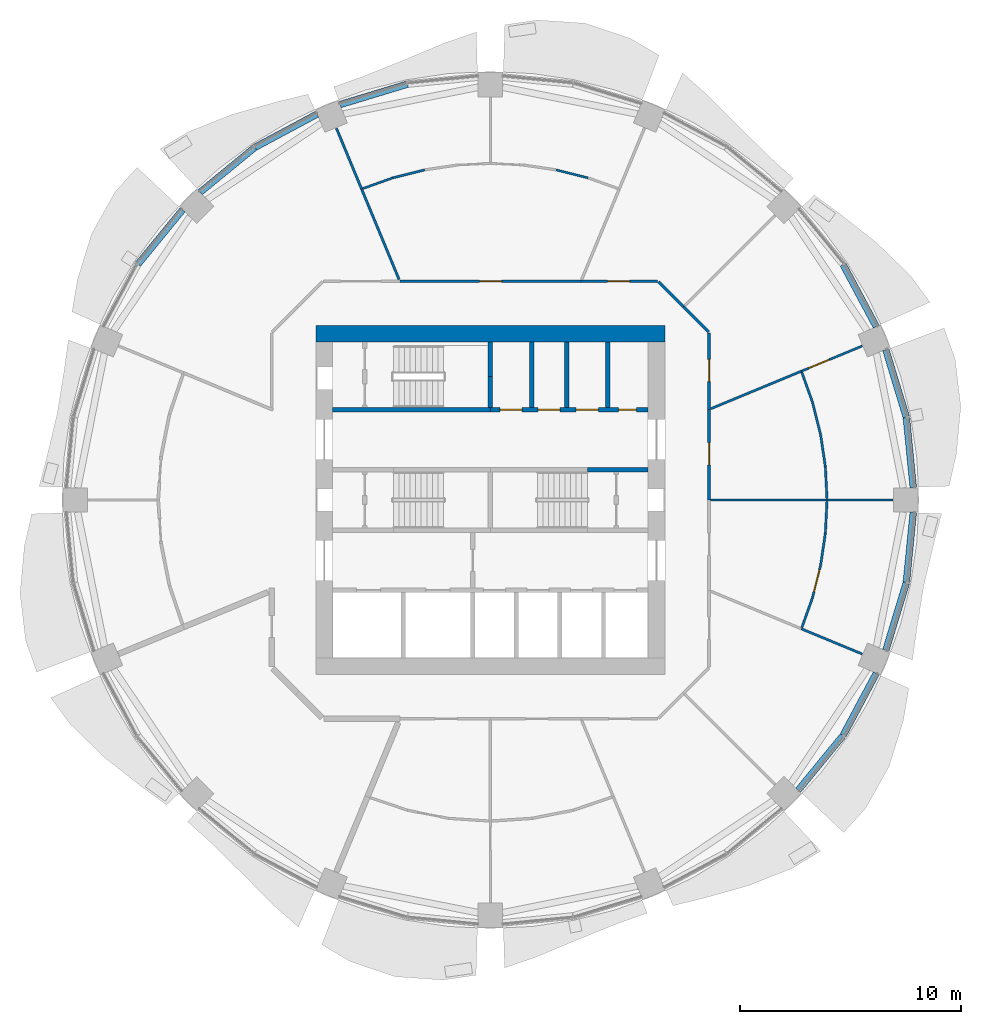
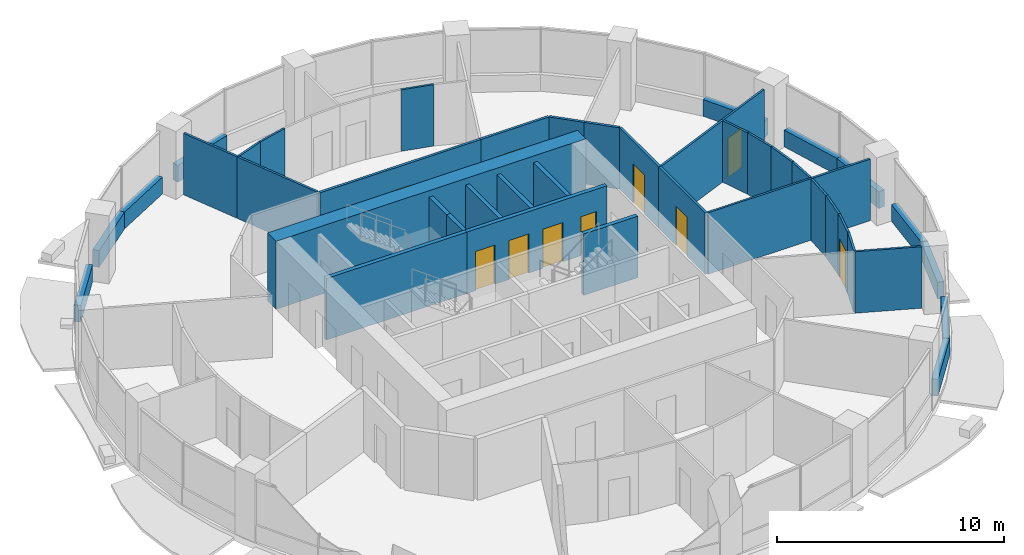
# One storey, part 10 of 15: 44 walls, 10 doors, 10 openings.
"""IFC4 building model written with IfcOpenShell, lengths in metres."""

from ifc_helpers import new_model, si_unit, direction, frame, frame_2d, origin, place, context, subcontext, project, spatial, rectangle, extrude, material, layer, layer_set, type_object, element, fill, save


model = new_model("IFC4")

# Units and contexts
model_context = context("Model", 3, precision=1e-05, world=origin(), true_north=direction((0.0, 1.0)))
body_context = subcontext(model_context, "Body", "Model", "MODEL_VIEW")
ifc_project = project(units=[si_unit("LENGTHUNIT", "METRE"), si_unit("AREAUNIT", "SQUARE_METRE"), si_unit("VOLUMEUNIT", "CUBIC_METRE"), si_unit("PLANEANGLEUNIT", "RADIAN"), si_unit("MASSUNIT", "GRAM", prefix="KILO")], contexts=[model_context])

# Site, building, storey
site_placement = place(None, origin())
site = spatial("IfcSite", under=ifc_project, at=site_placement, CompositionType="ELEMENT")
building_placement = place(site_placement, origin())
building = spatial("IfcBuilding", under=site, at=building_placement, Name="Polderwave Tower", CompositionType="ELEMENT")
storey_placement = place(building_placement, frame((0.0, 0.0, 83.699951171875)))
storey = spatial("IfcBuildingStorey", under=building, at=storey_placement, Name="L21", CompositionType="ELEMENT", Elevation=83.699951171875)

# Walls
ifc_material_1 = material(Name="Concrete C70/85", Category="concrete")
ifc_layer_1 = layer(ifc_material_1, 0.75)
ifc_layer_set_1 = layer_set([ifc_layer_1], Name="CORE WALL 750 C70/85")
wall_type_1 = type_object("IfcWallType", Name="CORE WALL 750 C70/85", PredefinedType="SHEAR", material=ifc_layer_set_1)
wall_1_placement = place(storey_placement, frame((-7.8740234375, 7.4990234375, 0.0), z_axis=(0.0, 0.0, 1.0), x_axis=(1.0, 0.0, 0.0)))
element("IfcWall", 1, at=wall_1_placement, inside=storey, type_object=wall_type_1, Name="ST-CORE-L21-N", PredefinedType="SHEAR", context=body_context, shape_type="SweptSolid", body=[
    extrude(rectangle(XDim=15.748046875, YDim=0.75, at=frame_2d((7.8740234375, 0.0))), origin(), (0.0, 0.0, 1.0), 3.650146484375),
])
ifc_material_2 = material(Name="Concrete C50/60 (board-marked)", Category="concrete")
ifc_layer_2 = layer(ifc_material_2, 0.300048828125)
ifc_layer_set_2 = layer_set([ifc_layer_2], Name="Concrete spandrel upstand C50/60")
wall_type_2 = type_object("IfcWallType", Name="Concrete spandrel upstand C50/60", PredefinedType="SOLIDWALL", material=ifc_layer_set_2)
wall_2_placement = place(storey_placement, frame((19.094482421875, 0.56396484375, 0.0), z_axis=(0.0, 0.0, 1.0), x_axis=(-0.098040704044, 0.995182405567, 0.0)))
element("IfcWall", 2, at=wall_2_placement, inside=storey, type_object=wall_type_2, Name="Spandrel L21 1a", PredefinedType="SOLIDWALL", context=body_context, shape_type="SweptSolid", body=[
    extrude(rectangle(XDim=3.172607421875, YDim=0.300048828125, at=frame_2d((1.58642578125, 0.0))), origin(), (0.0, 0.0, 1.0), 0.900146484375),
])
wall_3_placement = place(storey_placement, frame((18.777587890625, 3.75048828125, 0.0), z_axis=(0.0, 0.0, 1.0), x_axis=(-0.290325591482, 0.956927923582, 0.0)))
element("IfcWall", 3, at=wall_3_placement, inside=storey, type_object=wall_type_2, Name="Spandrel L21 1b", PredefinedType="SOLIDWALL", context=body_context, shape_type="SweptSolid", body=[
    extrude(rectangle(XDim=3.1728515625, YDim=0.300048828125, at=frame_2d((1.58642578125, 0.0))), origin(), (0.0, 0.0, 1.0), 0.900146484375),
])
wall_4_placement = place(storey_placement, frame((17.4248046875, 7.828125, 0.0), z_axis=(0.0, 0.0, 1.0), x_axis=(-0.471458802606, 0.88188808669, 0.0)))
element("IfcWall", 4, at=wall_4_placement, inside=storey, type_object=wall_type_2, Name="Spandrel L21 2a", PredefinedType="SOLIDWALL", context=body_context, shape_type="SweptSolid", body=[
    extrude(rectangle(XDim=3.17236328125, YDim=0.300048828125, at=frame_2d((1.586181640625, 0.0))), origin(), (0.0, 0.0, 1.0), 0.900146484375),
])
wall_5_placement = place(storey_placement, frame((-3.75048828125, 18.777587890625, 0.0), z_axis=(0.0, 0.0, 1.0), x_axis=(-0.956927923582, -0.290325591482, 0.0)))
element("IfcWall", 5, at=wall_5_placement, inside=storey, type_object=wall_type_2, Name="Spandrel L21 5b", PredefinedType="SOLIDWALL", context=body_context, shape_type="SweptSolid", body=[
    extrude(rectangle(XDim=3.1728515625, YDim=0.300048828125, at=frame_2d((1.58642578125, 0.0))), origin(), (0.0, 0.0, 1.0), 0.900146484375),
])
wall_6_placement = place(storey_placement, frame((-7.828125, 17.4248046875, 0.0), z_axis=(0.0, 0.0, 1.0), x_axis=(-0.88188808669, -0.471458802606, 0.0)))
element("IfcWall", 6, at=wall_6_placement, inside=storey, type_object=wall_type_2, Name="Spandrel L21 6a", PredefinedType="SOLIDWALL", context=body_context, shape_type="SweptSolid", body=[
    extrude(rectangle(XDim=3.17236328125, YDim=0.300048828125, at=frame_2d((1.586181640625, 0.0))), origin(), (0.0, 0.0, 1.0), 0.900146484375),
])
for number, where, z_axis, x_axis, name in (
    (7, (-10.650634765625, 15.91259765625, 0.0), (0.0, 0.0, 1.0), (-0.773137226182, -0.634238779555, 0.0), "Spandrel L21 6b"),
    (8, (-13.900390625, 13.103515625, 0.0), (0.0, 0.0, 1.0), (-0.634238779555, -0.773137226182, 0.0), "Spandrel L21 7a"),
    (9, (13.900390625, -13.103515625, 0.0), (0.0, 0.0, 1.0), (0.634238779555, 0.773137226182, 0.0), "Spandrel L21 15a"),
):
    element("IfcWall", number, at=place(storey_placement, frame(where, z_axis=z_axis, x_axis=x_axis)), inside=storey, type_object=wall_type_2, Name=name, PredefinedType="SOLIDWALL", context=body_context, shape_type="SweptSolid", body=[
        extrude(rectangle(XDim=3.172607421875, YDim=0.300048828125, at=frame_2d((1.58642578125, 0.0))), origin(), (0.0, 0.0, 1.0), 0.900146484375),
    ])
wall_7_placement = place(storey_placement, frame((15.92919921875, -10.625732421875, 0.0), z_axis=(0.0, 0.0, 1.0), x_axis=(0.471458802606, 0.88188808669, 0.0)))
element("IfcWall", 10, at=wall_7_placement, inside=storey, type_object=wall_type_2, Name="Spandrel L21 15b", PredefinedType="SOLIDWALL", context=body_context, shape_type="SweptSolid", body=[
    extrude(rectangle(XDim=3.17236328125, YDim=0.300048828125, at=frame_2d((1.586181640625, 0.0))), origin(), (0.0, 0.0, 1.0), 0.900146484375),
])
wall_8_placement = place(storey_placement, frame((17.8564453125, -6.78662109375, 0.0), z_axis=(0.0, 0.0, 1.0), x_axis=(0.290325591482, 0.956927923582, 0.0)))
element("IfcWall", 11, at=wall_8_placement, inside=storey, type_object=wall_type_2, Name="Spandrel L21 16a", PredefinedType="SOLIDWALL", context=body_context, shape_type="SweptSolid", body=[
    extrude(rectangle(XDim=3.1728515625, YDim=0.300048828125, at=frame_2d((1.58642578125, 0.0))), origin(), (0.0, 0.0, 1.0), 0.900146484375),
])
wall_9_placement = place(storey_placement, frame((18.783447265625, -3.72119140625, 0.0), z_axis=(0.0, 0.0, 1.0), x_axis=(0.098040704044, 0.995182405567, 0.0)))
element("IfcWall", 12, at=wall_9_placement, inside=storey, type_object=wall_type_2, Name="Spandrel L21 16b", PredefinedType="SOLIDWALL", context=body_context, shape_type="SweptSolid", body=[
    extrude(rectangle(XDim=3.172607421875, YDim=0.300048828125, at=frame_2d((1.58642578125, 0.0))), origin(), (0.0, 0.0, 1.0), 0.900146484375),
])
ifc_material_3 = material(Name="Gypsum board partition")
ifc_layer_3 = layer(ifc_material_3, 0.199951171875)
ifc_layer_set_3 = layer_set([ifc_layer_3], Name="Core room partition 200")
wall_type_3 = type_object("IfcWallType", Name="Core room partition 200", PredefinedType="PARTITIONING", material=ifc_layer_set_3)
for number, where, z_axis, x_axis, name in (
    (13, (1.86083984375, 4.174072265625, 0.0), (0.0, 0.0, 1.0), (0.0, 1.0, 0.0), "L21 room partition N1"),
    (14, (3.444580078125, 4.174072265625, 0.0), (0.0, 0.0, 1.0), (0.0, 1.0, 0.0), "L21 room partition N2"),
):
    element("IfcWall", number, at=place(storey_placement, frame(where, z_axis=z_axis, x_axis=x_axis)), inside=storey, type_object=wall_type_3, Name=name, PredefinedType="PARTITIONING", context=body_context, shape_type="SweptSolid", body=[
        extrude(rectangle(XDim=2.949951171875, YDim=0.199951171875, at=frame_2d((1.47509765625, 0.0))), origin(), (0.0, 0.0, 1.0), 3.300048828125),
    ])
ifc_material_4 = material(Name="Concrete C50/60", Category="concrete")
ifc_layer_4 = layer(ifc_material_4, 0.199951171875)
ifc_layer_set_4 = layer_set([ifc_layer_4], Name="Core web wall 200")
wall_type_4 = type_object("IfcWallType", Name="Core web wall 200", PredefinedType="SHEAR", material=ifc_layer_set_4)
wall_10_placement = place(storey_placement, frame((-7.1240234375, 4.073974609375, 0.0), z_axis=(0.0, 0.0, 1.0), x_axis=(1.0, 0.0, 0.0)))
element("IfcWall", 15, at=wall_10_placement, inside=storey, type_object=wall_type_4, Name="L21 north front wall 1", PredefinedType="SHEAR", context=body_context, shape_type="SweptSolid", body=[
    extrude(rectangle(XDim=7.1240234375, YDim=0.199951171875, at=frame_2d((3.56201171875, 0.0))), origin(), (0.0, 0.0, 1.0), 3.300048828125),
])

# Wall, openings, doors
wall_11_placement = place(storey_placement, frame((0.0, 4.073974609375, 0.0), z_axis=(0.0, 0.0, 1.0), x_axis=(1.0, 0.0, 0.0)))
wall_11 = element("IfcWall", 16, at=wall_11_placement, inside=storey, type_object=wall_type_4, Name="L21 north front wall 2", PredefinedType="SHEAR", context=body_context, shape_type="SweptSolid", body=[
    extrude(rectangle(XDim=7.1240234375, YDim=0.199951171875, at=frame_2d((3.56201171875, 0.0))), origin(), (0.0, 0.0, 1.0), 3.300048828125),
])
opening_1_placement = place(wall_11_placement, frame((0.430419921875, 0.0, 0.0)))
opening_1 = element("IfcOpeningElement", 17, at=opening_1_placement, cuts=wall_11, Name="Opening L21-D14", PredefinedType="OPENING", context=body_context, shape_type="SweptSolid", body=[
    extrude(rectangle(XDim=1.0, YDim=2.10009765625, at=frame_2d((0.5, 1.050048828125))), frame((0.0, 0.10986328125, 0.0), z_axis=(0.0, -1.0, 0.0), x_axis=(1.0, 0.0, 0.0)), (0.0, 0.0, 1.0), 0.219970703125),
])
opening_2_placement = place(wall_11_placement, frame((2.152587890625, 0.0, 0.0)))
opening_2 = element("IfcOpeningElement", 18, at=opening_2_placement, cuts=wall_11, Name="Opening L21-D15", PredefinedType="OPENING", context=body_context, shape_type="SweptSolid", body=[
    extrude(rectangle(XDim=1.0, YDim=2.10009765625, at=frame_2d((0.5, 1.050048828125))), frame((0.0, 0.10986328125, 0.0), z_axis=(0.0, -1.0, 0.0), x_axis=(1.0, 0.0, 0.0)), (0.0, 0.0, 1.0), 0.219970703125),
])
opening_3_placement = place(wall_11_placement, frame((3.875, 0.0, 0.0)))
opening_3 = element("IfcOpeningElement", 19, at=opening_3_placement, cuts=wall_11, Name="Opening L21-D16", PredefinedType="OPENING", context=body_context, shape_type="SweptSolid", body=[
    extrude(rectangle(XDim=1.0, YDim=2.10009765625, at=frame_2d((0.5, 1.050048828125))), frame((0.0, 0.10986328125, 0.0), z_axis=(0.0, -1.0, 0.0), x_axis=(1.0, 0.0, 0.0)), (0.0, 0.0, 1.0), 0.219970703125),
])
opening_4_placement = place(wall_11_placement, frame((5.789794921875, 0.0, 0.0)))
opening_4 = element("IfcOpeningElement", 20, at=opening_4_placement, cuts=wall_11, Name="Opening L21-D17", PredefinedType="OPENING", context=body_context, shape_type="SweptSolid", body=[
    extrude(rectangle(XDim=0.800048828125, YDim=2.10009765625, at=frame_2d((0.39990234375, 1.050048828125))), frame((0.0, 0.10986328125, 0.0), z_axis=(0.0, -1.0, 0.0), x_axis=(1.0, 0.0, 0.0)), (0.0, 0.0, 1.0), 0.219970703125),
])
ifc_material_5 = material(Name="Timber door leaf", Category="wood")
door_type_1 = type_object("IfcDoorType", Name="Accessible WC door 1000", OperationType="NOTDEFINED", PredefinedType="DOOR", material=ifc_material_5)
door_1_placement = place(opening_1_placement, origin())
door_1 = element("IfcDoor", 21, at=door_1_placement, inside=storey, type_object=door_type_1, Name="Accessible WC door", OperationType="SINGLE_SWING_LEFT", OverallHeight=2.10009765625, OverallWidth=1.0, PredefinedType="DOOR", context=body_context, shape_type="SweptSolid", body=[
    extrude(rectangle(XDim=1.0, YDim=2.10009765625, at=frame_2d((0.5, 1.050048828125))), frame((0.0, 0.02490234375, 0.0), z_axis=(0.0, -1.0, 0.0), x_axis=(1.0, 0.0, 0.0)), (0.0, 0.0, 1.0), 0.050048828125),
])
fill(opening_1, door_1)
ifc_material_6 = material(Name="Steel fire door", Category="steel")
door_type_2 = type_object("IfcDoorType", Name="Riser door 800", OperationType="NOTDEFINED", PredefinedType="DOOR", material=ifc_material_6)
door_2_placement = place(opening_4_placement, frame((0.800048828125, 0.0, 0.0), z_axis=(0.0, 0.0, 1.0), x_axis=(-1.0, 0.0, 0.0)))
door_2 = element("IfcDoor", 22, at=door_2_placement, inside=storey, type_object=door_type_2, Name="Riser door", OperationType="SINGLE_SWING_LEFT", OverallHeight=2.10009765625, OverallWidth=0.800048828125, PredefinedType="DOOR", context=body_context, shape_type="SweptSolid", body=[
    extrude(rectangle(XDim=0.800048828125, YDim=2.10009765625, at=frame_2d((0.39990234375, 1.050048828125))), frame((0.0, 0.02490234375, 0.0), z_axis=(0.0, -1.0, 0.0), x_axis=(1.0, 0.0, 0.0)), (0.0, 0.0, 1.0), 0.050048828125),
])
fill(opening_4, door_2)
door_type_3 = type_object("IfcDoorType", Name="Room door 1000", OperationType="NOTDEFINED", PredefinedType="DOOR", material=ifc_material_5)
door_3_placement = place(opening_2_placement, frame((1.0, 0.0, 0.0), z_axis=(0.0, 0.0, 1.0), x_axis=(-1.0, 0.0, 0.0)))
door_3 = element("IfcDoor", 23, at=door_3_placement, inside=storey, type_object=door_type_3, Name="Pump room door", OperationType="SINGLE_SWING_RIGHT", OverallHeight=2.10009765625, OverallWidth=1.0, PredefinedType="DOOR", context=body_context, shape_type="SweptSolid", body=[
    extrude(rectangle(XDim=1.0, YDim=2.10009765625, at=frame_2d((0.5, 1.050048828125))), frame((0.0, 0.02490234375, 0.0), z_axis=(0.0, -1.0, 0.0), x_axis=(1.0, 0.0, 0.0)), (0.0, 0.0, 1.0), 0.050048828125),
])
fill(opening_2, door_3)
door_4_placement = place(opening_3_placement, origin())
door_4 = element("IfcDoor", 24, at=door_4_placement, inside=storey, type_object=door_type_3, Name="Cleaner's store door", OperationType="SINGLE_SWING_RIGHT", OverallHeight=2.10009765625, OverallWidth=1.0, PredefinedType="DOOR", context=body_context, shape_type="SweptSolid", body=[
    extrude(rectangle(XDim=1.0, YDim=2.10009765625, at=frame_2d((0.5, 1.050048828125))), frame((0.0, 0.02490234375, 0.0), z_axis=(0.0, -1.0, 0.0), x_axis=(1.0, 0.0, 0.0)), (0.0, 0.0, 1.0), 0.050048828125),
])
fill(opening_3, door_4)

# Walls
wall_12_placement = place(storey_placement, frame((4.3740234375, 1.375, 0.0), z_axis=(0.0, 0.0, 1.0), x_axis=(1.0, 0.0, 0.0)))
element("IfcWall", 25, at=wall_12_placement, inside=storey, type_object=wall_type_4, Name="L21 north stair wall 4", PredefinedType="SHEAR", context=body_context, shape_type="SweptSolid", body=[
    extrude(rectangle(XDim=2.75, YDim=0.199951171875, at=frame_2d((1.375, 0.0))), origin(), (0.0, 0.0, 1.0), 3.300048828125),
])
wall_13_placement = place(storey_placement, frame((0.0, 4.174072265625, 0.0), z_axis=(0.0, 0.0, 1.0), x_axis=(0.0, 1.0, 0.0)))
element("IfcWall", 26, at=wall_13_placement, inside=storey, type_object=wall_type_4, Name="L21 stair C wall south", PredefinedType="SHEAR", context=body_context, shape_type="SweptSolid", body=[
    extrude(rectangle(XDim=1.39990234375, YDim=0.199951171875, at=frame_2d((0.699951171875, 0.0))), origin(), (0.0, 0.0, 1.0), 3.300048828125),
])
wall_14_placement = place(storey_placement, frame((0.0, 5.573974609375, 0.0), z_axis=(0.0, 0.0, 1.0), x_axis=(0.0, 1.0, 0.0)))
element("IfcWall", 27, at=wall_14_placement, inside=storey, type_object=wall_type_4, Name="L21 stair C wall north", PredefinedType="SHEAR", context=body_context, shape_type="SweptSolid", body=[
    extrude(rectangle(XDim=1.550048828125, YDim=0.199951171875, at=frame_2d((0.77490234375, 0.0))), origin(), (0.0, 0.0, 1.0), 3.300048828125),
])

# Wall, opening, door
ifc_material_7 = material(Name="Fire-resisting board on steel studs", Category="steel")
ifc_layer_5 = layer(ifc_material_7, 0.125)
ifc_layer_set_5 = layer_set([ifc_layer_5], Name="Corridor wall 125 mm EI 60")
wall_type_5 = type_object("IfcWallType", Name="Corridor wall 125 mm EI 60", PredefinedType="PARTITIONING", material=ifc_layer_set_5)
wall_15_placement = place(storey_placement, frame((9.8740234375, 4.08984375, 0.0), z_axis=(0.0, 0.0, 1.0), x_axis=(0.0, -1.0, 0.0)))
wall_15 = element("IfcWall", 28, at=wall_15_placement, inside=storey, type_object=wall_type_5, Name="IN-L21-W001", PredefinedType="PARTITIONING", context=body_context, shape_type="SweptSolid", body=[
    extrude(rectangle(XDim=4.08984375, YDim=0.125, at=frame_2d((2.044921875, 0.0))), origin(), (0.0, 0.0, 1.0), 3.300048828125),
])
opening_5_placement = place(wall_15_placement, frame((1.5, 0.0, 0.0)))
opening_5 = element("IfcOpeningElement", 29, at=opening_5_placement, cuts=wall_15, Name="Opening L21-D50", PredefinedType="OPENING", context=body_context, shape_type="SweptSolid", body=[
    extrude(rectangle(XDim=1.0, YDim=2.10009765625, at=frame_2d((0.5, 1.050048828125))), frame((0.0, 0.072509765625, 0.0), z_axis=(0.0, -1.0, 0.0), x_axis=(1.0, 0.0, 0.0)), (0.0, 0.0, 1.0), 0.14501953125),
])
ifc_material_8 = material(Name="Timber fire door leaf", Category="wood")
door_type_4 = type_object("IfcDoorType", Name="Fire door FD30S 1000 x 2100", OperationType="NOTDEFINED", PredefinedType="DOOR", material=ifc_material_8)
door_5_placement = place(opening_5_placement, origin())
door_5 = element("IfcDoor", 30, at=door_5_placement, inside=storey, type_object=door_type_4, Name="Door L21-D50", OperationType="SINGLE_SWING_LEFT", OverallHeight=2.10009765625, OverallWidth=1.0, PredefinedType="DOOR", context=body_context, shape_type="SweptSolid", body=[
    extrude(rectangle(XDim=1.0, YDim=2.10009765625, at=frame_2d((0.5, 1.050048828125))), frame((0.0, 0.02490234375, 0.0), z_axis=(0.0, -1.0, 0.0), x_axis=(1.0, 0.0, 0.0)), (0.0, 0.0, 1.0), 0.050048828125),
])
fill(opening_5, door_5)

# Wall
wall_16_placement = place(storey_placement, frame((8.722412109375, 8.722412109375, 0.0), z_axis=(0.0, 0.0, 1.0), x_axis=(0.70718294931, -0.707030604857, 0.0)))
element("IfcWall", 31, at=wall_16_placement, inside=storey, type_object=wall_type_5, Name="IN-L21-W002", PredefinedType="PARTITIONING", context=body_context, shape_type="SweptSolid", body=[
    extrude(rectangle(XDim=1.6025390625, YDim=0.125, at=frame_2d((0.80126953125, 0.0))), origin(), (0.0, 0.0, 1.0), 3.300048828125),
])

# Wall, opening, door
wall_17_placement = place(storey_placement, frame((9.8740234375, 7.545166015625, 0.0), z_axis=(0.0, 0.0, 1.0), x_axis=(0.0, -1.0, 0.0)))
wall_17 = element("IfcWall", 32, at=wall_17_placement, inside=storey, type_object=wall_type_5, Name="IN-L21-W003", PredefinedType="PARTITIONING", context=body_context, shape_type="SweptSolid", body=[
    extrude(rectangle(XDim=3.455322265625, YDim=0.125, at=frame_2d((1.7275390625, 0.0))), origin(), (0.0, 0.0, 1.0), 3.300048828125),
])
opening_6_placement = place(wall_17_placement, frame((1.199951171875, 0.0, 0.0)))
opening_6 = element("IfcOpeningElement", 33, at=opening_6_placement, cuts=wall_17, Name="Opening L21-D51", PredefinedType="OPENING", context=body_context, shape_type="SweptSolid", body=[
    extrude(rectangle(XDim=1.0, YDim=2.10009765625, at=frame_2d((0.5, 1.050048828125))), frame((0.0, 0.072509765625, 0.0), z_axis=(0.0, -1.0, 0.0), x_axis=(1.0, 0.0, 0.0)), (0.0, 0.0, 1.0), 0.14501953125),
])
door_6_placement = place(opening_6_placement, origin())
door_6 = element("IfcDoor", 34, at=door_6_placement, inside=storey, type_object=door_type_4, Name="Door L21-D51", OperationType="SINGLE_SWING_LEFT", OverallHeight=2.10009765625, OverallWidth=1.0, PredefinedType="DOOR", context=body_context, shape_type="SweptSolid", body=[
    extrude(rectangle(XDim=1.0, YDim=2.10009765625, at=frame_2d((0.5, 1.050048828125))), frame((0.0, 0.02490234375, 0.0), z_axis=(0.0, -1.0, 0.0), x_axis=(1.0, 0.0, 0.0)), (0.0, 0.0, 1.0), 0.050048828125),
])
fill(opening_6, door_6)

wall_18_placement = place(storey_placement, frame((4.08984375, 9.8740234375, 0.0), z_axis=(0.0, 0.0, 1.0), x_axis=(1.0, 0.0, 0.0)))
wall_18 = element("IfcWall", 35, at=wall_18_placement, inside=storey, type_object=wall_type_5, Name="IN-L21-W007", PredefinedType="PARTITIONING", context=body_context, shape_type="SweptSolid", body=[
    extrude(rectangle(XDim=3.455322265625, YDim=0.125, at=frame_2d((1.7275390625, 0.0))), origin(), (0.0, 0.0, 1.0), 3.300048828125),
])
opening_7_placement = place(wall_18_placement, frame((1.199951171875, 0.0, 0.0)))
opening_7 = element("IfcOpeningElement", 36, at=opening_7_placement, cuts=wall_18, Name="Opening L21-D54", PredefinedType="OPENING", context=body_context, shape_type="SweptSolid", body=[
    extrude(rectangle(XDim=1.0, YDim=2.10009765625, at=frame_2d((0.5, 1.050048828125))), frame((0.0, 0.072509765625, 0.0), z_axis=(0.0, -1.0, 0.0), x_axis=(1.0, 0.0, 0.0)), (0.0, 0.0, 1.0), 0.14501953125),
])
door_7_placement = place(opening_7_placement, origin())
door_7 = element("IfcDoor", 37, at=door_7_placement, inside=storey, type_object=door_type_4, Name="Door L21-D54", OperationType="SINGLE_SWING_LEFT", OverallHeight=2.10009765625, OverallWidth=1.0, PredefinedType="DOOR", context=body_context, shape_type="SweptSolid", body=[
    extrude(rectangle(XDim=1.0, YDim=2.10009765625, at=frame_2d((0.5, 1.050048828125))), frame((0.0, 0.02490234375, 0.0), z_axis=(0.0, -1.0, 0.0), x_axis=(1.0, 0.0, 0.0)), (0.0, 0.0, 1.0), 0.050048828125),
])
fill(opening_7, door_7)

# Wall
wall_19_placement = place(storey_placement, frame((7.58935546875, 9.855712890625, 0.0), z_axis=(0.0, 0.0, 1.0), x_axis=(0.707030604857, -0.70718294931, 0.0)))
element("IfcWall", 38, at=wall_19_placement, inside=storey, type_object=wall_type_5, Name="IN-L21-W008", PredefinedType="PARTITIONING", context=body_context, shape_type="SweptSolid", body=[
    extrude(rectangle(XDim=1.6025390625, YDim=0.125, at=frame_2d((0.80126953125, 0.0))), origin(), (0.0, 0.0, 1.0), 3.300048828125),
])

# Wall, opening, door
wall_20_placement = place(storey_placement, frame((-4.08984375, 9.8740234375, 0.0), z_axis=(0.0, 0.0, 1.0), x_axis=(1.0, 0.0, 0.0)))
wall_20 = element("IfcWall", 39, at=wall_20_placement, inside=storey, type_object=wall_type_5, Name="IN-L21-W009", PredefinedType="PARTITIONING", context=body_context, shape_type="SweptSolid", body=[
    extrude(rectangle(XDim=8.1796875, YDim=0.125, at=frame_2d((4.08984375, 0.0))), origin(), (0.0, 0.0, 1.0), 3.300048828125),
])
opening_8_placement = place(wall_20_placement, frame((3.60009765625, 0.0, 0.0)))
opening_8 = element("IfcOpeningElement", 40, at=opening_8_placement, cuts=wall_20, Name="Opening L21-D55", PredefinedType="OPENING", context=body_context, shape_type="SweptSolid", body=[
    extrude(rectangle(XDim=1.0, YDim=2.10009765625, at=frame_2d((0.5, 1.050048828125))), frame((0.0, 0.072509765625, 0.0), z_axis=(0.0, -1.0, 0.0), x_axis=(1.0, 0.0, 0.0)), (0.0, 0.0, 1.0), 0.14501953125),
])
door_8_placement = place(opening_8_placement, origin())
door_8 = element("IfcDoor", 41, at=door_8_placement, inside=storey, type_object=door_type_4, Name="Door L21-D55", OperationType="SINGLE_SWING_RIGHT", OverallHeight=2.10009765625, OverallWidth=1.0, PredefinedType="DOOR", context=body_context, shape_type="SweptSolid", body=[
    extrude(rectangle(XDim=1.0, YDim=2.10009765625, at=frame_2d((0.5, 1.050048828125))), frame((0.0, 0.02490234375, 0.0), z_axis=(0.0, -1.0, 0.0), x_axis=(1.0, 0.0, 0.0)), (0.0, 0.0, 1.0), 0.050048828125),
])
fill(opening_8, door_8)

ifc_material_9 = material(Name="Plasterboard on steel studs", Category="steel")
ifc_layer_6 = layer(ifc_material_9, 0.10009765625)
ifc_layer_set_6 = layer_set([ifc_layer_6], Name="Partition 100 mm plasterboard on steel studs")
wall_type_6 = type_object("IfcWallType", Name="Partition 100 mm plasterboard on steel studs", PredefinedType="PARTITIONING", material=ifc_layer_set_6)
wall_21_placement = place(storey_placement, frame((16.786865234375, 6.953369140625, 0.0), z_axis=(0.0, 0.0, 1.0), x_axis=(-0.923889594764, -0.382659139036, 0.0)))
wall_21 = element("IfcWall", 42, at=wall_21_placement, inside=storey, type_object=wall_type_6, Name="IN-L21-W028", PredefinedType="PARTITIONING", context=body_context, shape_type="SweptSolid", body=[
    extrude(rectangle(XDim=2.969970703125, YDim=0.10009765625, at=frame_2d((1.48486328125, 0.0))), origin(), (0.0, 0.0, 1.0), 3.300048828125),
])
opening_9_placement = place(wall_21_placement, frame((1.60009765625, 0.0, 0.0)))
opening_9 = element("IfcOpeningElement", 43, at=opening_9_placement, cuts=wall_21, Name="Opening L21-D61", PredefinedType="OPENING", context=body_context, shape_type="SweptSolid", body=[
    extrude(rectangle(XDim=1.0, YDim=2.10009765625, at=frame_2d((0.5, 1.050048828125))), frame((0.0, 0.06005859375, 0.0), z_axis=(0.0, -1.0, 0.0), x_axis=(1.0, 0.0, 0.0)), (0.0, 0.0, 1.0), 0.1201171875),
])
ifc_material_10 = material(Name="Timber veneer door leaf", Category="wood")
door_type_5 = type_object("IfcDoorType", Name="Single door 1000 x 2100", OperationType="NOTDEFINED", PredefinedType="DOOR", material=ifc_material_10)
door_9_placement = place(opening_9_placement, origin())
door_9 = element("IfcDoor", 44, at=door_9_placement, inside=storey, type_object=door_type_5, Name="Door L21-D61", OperationType="SINGLE_SWING_RIGHT", OverallHeight=2.10009765625, OverallWidth=1.0, PredefinedType="DOOR", context=body_context, shape_type="SweptSolid", body=[
    extrude(rectangle(XDim=1.0, YDim=2.10009765625, at=frame_2d((0.5, 1.050048828125))), frame((0.0, 0.02490234375, 0.0), z_axis=(0.0, -1.0, 0.0), x_axis=(1.0, 0.0, 0.0)), (0.0, 0.0, 1.0), 0.050048828125),
])
fill(opening_9, door_9)

# Walls
wall_22_placement = place(storey_placement, frame((4.409912109375, 14.546142578125, 0.0), z_axis=(0.0, 0.0, 1.0), x_axis=(-0.970055497102, 0.242883372306, 0.0)))
element("IfcWall", 45, at=wall_22_placement, inside=storey, type_object=wall_type_6, Name="IN-L21-W035", PredefinedType="PARTITIONING", context=body_context, shape_type="SweptSolid", body=[
    extrude(rectangle(XDim=1.486572265625, YDim=0.10009765625, at=frame_2d((0.7431640625, 0.0))), origin(), (0.0, 0.0, 1.0), 3.300048828125),
])
wall_23_placement = place(storey_placement, frame((-5.7626953125, 14.0625, 0.0), z_axis=(0.0, 0.0, 1.0), x_axis=(0.941587499657, 0.33676843749, 0.0)))
element("IfcWall", 46, at=wall_23_placement, inside=storey, type_object=wall_type_6, Name="IN-L21-W038", PredefinedType="PARTITIONING", context=body_context, shape_type="SweptSolid", body=[
    extrude(rectangle(XDim=1.431884765625, YDim=0.10009765625, at=frame_2d((0.7158203125, 0.0))), origin(), (0.0, 0.0, 1.0), 3.300048828125),
])
wall_24_placement = place(storey_placement, frame((-4.409912109375, 14.546142578125, 0.0), z_axis=(0.0, 0.0, 1.0), x_axis=(0.970055497102, 0.242883372306, 0.0)))
element("IfcWall", 47, at=wall_24_placement, inside=storey, type_object=wall_type_6, Name="IN-L21-W039", PredefinedType="PARTITIONING", context=body_context, shape_type="SweptSolid", body=[
    extrude(rectangle(XDim=1.486572265625, YDim=0.10009765625, at=frame_2d((0.7431640625, 0.0))), origin(), (0.0, 0.0, 1.0), 3.300048828125),
])
ifc_material_11 = material(Name="Moisture-resistant board on steel studs, tiled", Category="steel")
ifc_layer_7 = layer(ifc_material_11, 0.10498046875)
ifc_layer_set_7 = layer_set([ifc_layer_7], Name="Partition 105 mm wet room board and tile")
wall_type_7 = type_object("IfcWallType", Name="Partition 105 mm wet room board and tile", PredefinedType="PARTITIONING", material=ifc_layer_set_7)
wall_25_placement = place(storey_placement, frame((14.0615234375, 5.764892578125, 0.0), z_axis=(0.0, 0.0, 1.0), x_axis=(0.336940319535, -0.941526006583, 0.0)))
element("IfcWall", 48, at=wall_25_placement, inside=storey, type_object=wall_type_7, Name="IN-L21-W022", PredefinedType="PARTITIONING", context=body_context, shape_type="SweptSolid", body=[
    extrude(rectangle(XDim=1.433837890625, YDim=0.10498046875, at=frame_2d((0.716796875, 0.0))), origin(), (0.0, 0.0, 1.0), 3.300048828125),
])
wall_26_placement = place(storey_placement, frame((14.546142578125, 4.409912109375, 0.0), z_axis=(0.0, 0.0, 1.0), x_axis=(0.242922070527, -0.970045806986, 0.0)))
element("IfcWall", 49, at=wall_26_placement, inside=storey, type_object=wall_type_7, Name="IN-L21-W023", PredefinedType="PARTITIONING", context=body_context, shape_type="SweptSolid", body=[
    extrude(rectangle(XDim=1.486328125, YDim=0.10498046875, at=frame_2d((0.7431640625, 0.0))), origin(), (0.0, 0.0, 1.0), 3.300048828125),
])
wall_27_placement = place(storey_placement, frame((14.908203125, 2.962890625, 0.0), z_axis=(0.0, 0.0, 1.0), x_axis=(0.146822447166, -0.989162862732, 0.0)))
element("IfcWall", 50, at=wall_27_placement, inside=storey, type_object=wall_type_7, Name="IN-L21-W024", PredefinedType="PARTITIONING", context=body_context, shape_type="SweptSolid", body=[
    extrude(rectangle(XDim=1.486572265625, YDim=0.10498046875, at=frame_2d((0.7431640625, 0.0))), origin(), (0.0, 0.0, 1.0), 3.300048828125),
])
wall_28_placement = place(storey_placement, frame((15.126953125, 1.4873046875, 0.0), z_axis=(0.0, 0.0, 1.0), x_axis=(0.0491209592, -0.998792837062, 0.0)))
element("IfcWall", 51, at=wall_28_placement, inside=storey, type_object=wall_type_7, Name="IN-L21-W025", PredefinedType="PARTITIONING", context=body_context, shape_type="SweptSolid", body=[
    extrude(rectangle(XDim=1.431396484375, YDim=0.10498046875, at=frame_2d((0.7158203125, 0.0))), origin(), (0.0, 0.0, 1.0), 3.300048828125),
])
wall_29_placement = place(storey_placement, frame((9.95654296875, 4.1240234375, 0.0), z_axis=(0.0, 0.0, 1.0), x_axis=(0.923862097388, 0.382725521764, 0.0)))
element("IfcWall", 52, at=wall_29_placement, inside=storey, type_object=wall_type_7, Name="IN-L21-W026", PredefinedType="PARTITIONING", context=body_context, shape_type="SweptSolid", body=[
    extrude(rectangle(XDim=4.423095703125, YDim=0.10498046875, at=frame_2d((2.21142578125, 0.0))), origin(), (0.0, 0.0, 1.0), 3.300048828125),
])
wall_30_placement = place(storey_placement, frame((15.199951171875, 0.0, 0.0), z_axis=(0.0, 0.0, 1.0), x_axis=(-1.0, 0.0, 0.0)))
element("IfcWall", 53, at=wall_30_placement, inside=storey, type_object=wall_type_7, Name="IN-L21-W027", PredefinedType="PARTITIONING", context=body_context, shape_type="SweptSolid", body=[
    extrude(rectangle(XDim=5.263427734375, YDim=0.10498046875, at=frame_2d((2.6318359375, 0.0))), origin(), (0.0, 0.0, 1.0), 3.300048828125),
])
wall_31_placement = place(storey_placement, frame((14.04296875, -5.81689453125, 0.0), z_axis=(0.0, 0.0, 1.0), x_axis=(0.923889594764, -0.382659139036, 0.0)))
element("IfcWall", 54, at=wall_31_placement, inside=storey, type_object=wall_type_7, Name="IN-L21-W068", PredefinedType="PARTITIONING", context=body_context, shape_type="SweptSolid", body=[
    extrude(rectangle(XDim=2.969970703125, YDim=0.10498046875, at=frame_2d((1.48486328125, 0.0))), origin(), (0.0, 0.0, 1.0), 3.300048828125),
])
wall_32_placement = place(storey_placement, frame((14.0615234375, -5.764892578125, 0.0), z_axis=(0.0, 0.0, 1.0), x_axis=(0.336940319535, 0.941526006583, 0.0)))
element("IfcWall", 55, at=wall_32_placement, inside=storey, type_object=wall_type_7, Name="IN-L21-W070", PredefinedType="PARTITIONING", context=body_context, shape_type="SweptSolid", body=[
    extrude(rectangle(XDim=1.433837890625, YDim=0.10498046875, at=frame_2d((0.716796875, 0.0))), origin(), (0.0, 0.0, 1.0), 3.300048828125),
])

# Wall, opening, door
wall_33_placement = place(storey_placement, frame((14.9072265625, -2.968017578125, 0.0), z_axis=(0.0, 0.0, 1.0), x_axis=(-0.242922070527, -0.970045806986, 0.0)))
wall_33 = element("IfcWall", 56, at=wall_33_placement, inside=storey, type_object=wall_type_7, Name="IN-L21-W071", PredefinedType="PARTITIONING", context=body_context, shape_type="SweptSolid", body=[
    extrude(rectangle(XDim=1.486328125, YDim=0.10498046875, at=frame_2d((0.7431640625, 0.0))), origin(), (0.0, 0.0, 1.0), 3.300048828125),
])
opening_10_placement = place(wall_33_placement, frame((0.199951171875, 0.0, 0.0)))
opening_10 = element("IfcOpeningElement", 57, at=opening_10_placement, cuts=wall_33, Name="Opening L21-D68", PredefinedType="OPENING", context=body_context, shape_type="SweptSolid", body=[
    extrude(rectangle(XDim=1.0, YDim=2.10009765625, at=frame_2d((0.5, 1.050048828125))), frame((0.0, 0.0625, 0.0), z_axis=(0.0, -1.0, 0.0), x_axis=(1.0, 0.0, 0.0)), (0.0, 0.0, 1.0), 0.125),
])
door_10_placement = place(opening_10_placement, origin())
door_10 = element("IfcDoor", 58, at=door_10_placement, inside=storey, type_object=door_type_5, Name="Door L21-D68", OperationType="SINGLE_SWING_LEFT", OverallHeight=2.10009765625, OverallWidth=1.0, PredefinedType="DOOR", context=body_context, shape_type="SweptSolid", body=[
    extrude(rectangle(XDim=1.0, YDim=2.10009765625, at=frame_2d((0.5, 1.050048828125))), frame((0.0, 0.02490234375, 0.0), z_axis=(0.0, -1.0, 0.0), x_axis=(1.0, 0.0, 0.0)), (0.0, 0.0, 1.0), 0.050048828125),
])
fill(opening_10, door_10)

# Walls
wall_34_placement = place(storey_placement, frame((14.908203125, -2.962890625, 0.0), z_axis=(0.0, 0.0, 1.0), x_axis=(0.146822447166, 0.989162862732, 0.0)))
element("IfcWall", 59, at=wall_34_placement, inside=storey, type_object=wall_type_7, Name="IN-L21-W072", PredefinedType="PARTITIONING", context=body_context, shape_type="SweptSolid", body=[
    extrude(rectangle(XDim=1.486572265625, YDim=0.10498046875, at=frame_2d((0.7431640625, 0.0))), origin(), (0.0, 0.0, 1.0), 3.300048828125),
])
wall_35_placement = place(storey_placement, frame((15.126953125, -1.4873046875, 0.0), z_axis=(0.0, 0.0, 1.0), x_axis=(0.0491209592, 0.998792837062, 0.0)))
element("IfcWall", 60, at=wall_35_placement, inside=storey, type_object=wall_type_7, Name="IN-L21-W073", PredefinedType="PARTITIONING", context=body_context, shape_type="SweptSolid", body=[
    extrude(rectangle(XDim=1.431396484375, YDim=0.10498046875, at=frame_2d((0.7158203125, 0.0))), origin(), (0.0, 0.0, 1.0), 3.300048828125),
])
ifc_material_12 = material(Name="Acoustic double plasterboard on steel studs", Category="steel")
ifc_layer_8 = layer(ifc_material_12, 0.110107421875)
ifc_layer_set_8 = layer_set([ifc_layer_8], Name="Partition 110 mm acoustic double board")
wall_type_8 = type_object("IfcWallType", Name="Partition 110 mm acoustic double board", PredefinedType="PARTITIONING", material=ifc_layer_set_8)
wall_36_placement = place(storey_placement, frame((18.169921875, 0.0, 0.0), z_axis=(0.0, 0.0, 1.0), x_axis=(-1.0, 0.0, 0.0)))
element("IfcWall", 61, at=wall_36_placement, inside=storey, type_object=wall_type_8, Name="IN-L21-W029", PredefinedType="PARTITIONING", context=body_context, shape_type="SweptSolid", body=[
    extrude(rectangle(XDim=2.969970703125, YDim=0.110107421875, at=frame_2d((1.48486328125, 0.0))), origin(), (0.0, 0.0, 1.0), 3.300048828125),
])
wall_37_placement = place(storey_placement, frame((-4.12451171875, 9.95751953125, 0.0), z_axis=(0.0, 0.0, 1.0), x_axis=(-0.382709362011, 0.923868791674, 0.0)))
element("IfcWall", 62, at=wall_37_placement, inside=storey, type_object=wall_type_8, Name="IN-L21-W042", PredefinedType="PARTITIONING", context=body_context, shape_type="SweptSolid", body=[
    extrude(rectangle(XDim=4.422119140625, YDim=0.110107421875, at=frame_2d((2.2109375, 0.0))), origin(), (0.0, 0.0, 1.0), 3.300048828125),
])
wall_38_placement = place(storey_placement, frame((-5.81689453125, 14.04296875, 0.0), z_axis=(0.0, 0.0, 1.0), x_axis=(-0.382659139036, 0.923889594764, 0.0)))
element("IfcWall", 63, at=wall_38_placement, inside=storey, type_object=wall_type_8, Name="IN-L21-W043", PredefinedType="PARTITIONING", context=body_context, shape_type="SweptSolid", body=[
    extrude(rectangle(XDim=2.969970703125, YDim=0.110107421875, at=frame_2d((1.48486328125, 0.0))), origin(), (0.0, 0.0, 1.0), 3.300048828125),
])
ifc_material_13 = material(Name="Gypsum shaft wall system")
ifc_layer_9 = layer(ifc_material_13, 0.199951171875)
ifc_layer_set_9 = layer_set([ifc_layer_9], Name="Shaft wall 200")
wall_type_9 = type_object("IfcWallType", Name="Shaft wall 200", PredefinedType="PARTITIONING", material=ifc_layer_set_9)
wall_39_placement = place(storey_placement, frame((5.305419921875, 4.174072265625, 0.0), z_axis=(0.0, 0.0, 1.0), x_axis=(0.0, 1.0, 0.0)))
element("IfcWall", 64, at=wall_39_placement, inside=storey, type_object=wall_type_9, Name="L21 riser wall", PredefinedType="PARTITIONING", context=body_context, shape_type="SweptSolid", body=[
    extrude(rectangle(XDim=2.949951171875, YDim=0.199951171875, at=frame_2d((1.47509765625, 0.0))), origin(), (0.0, 0.0, 1.0), 3.300048828125),
])

save(model, "model.ifc")
